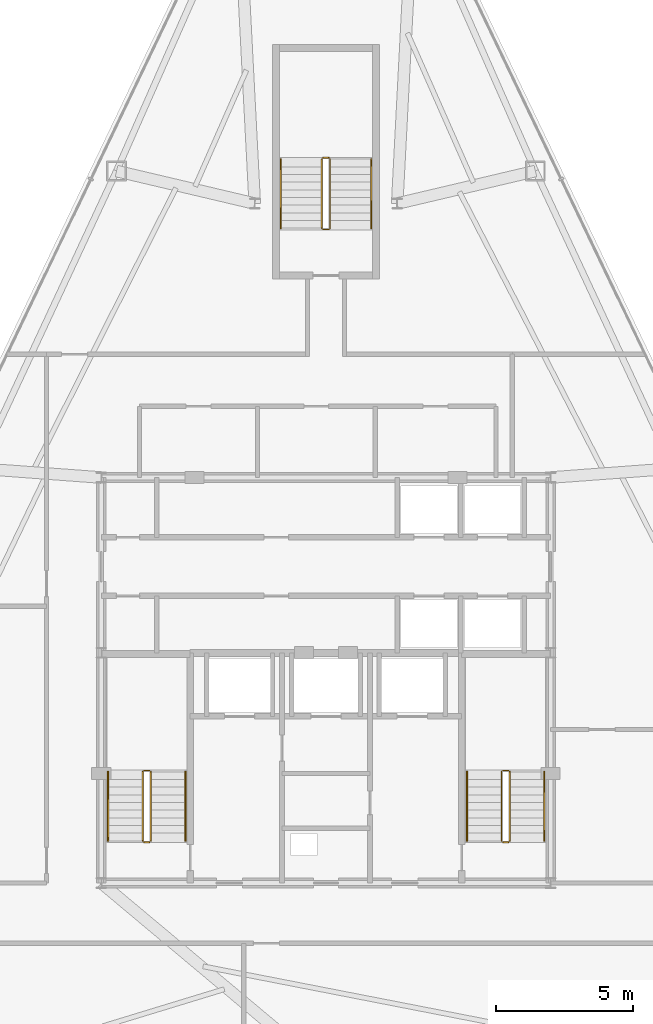
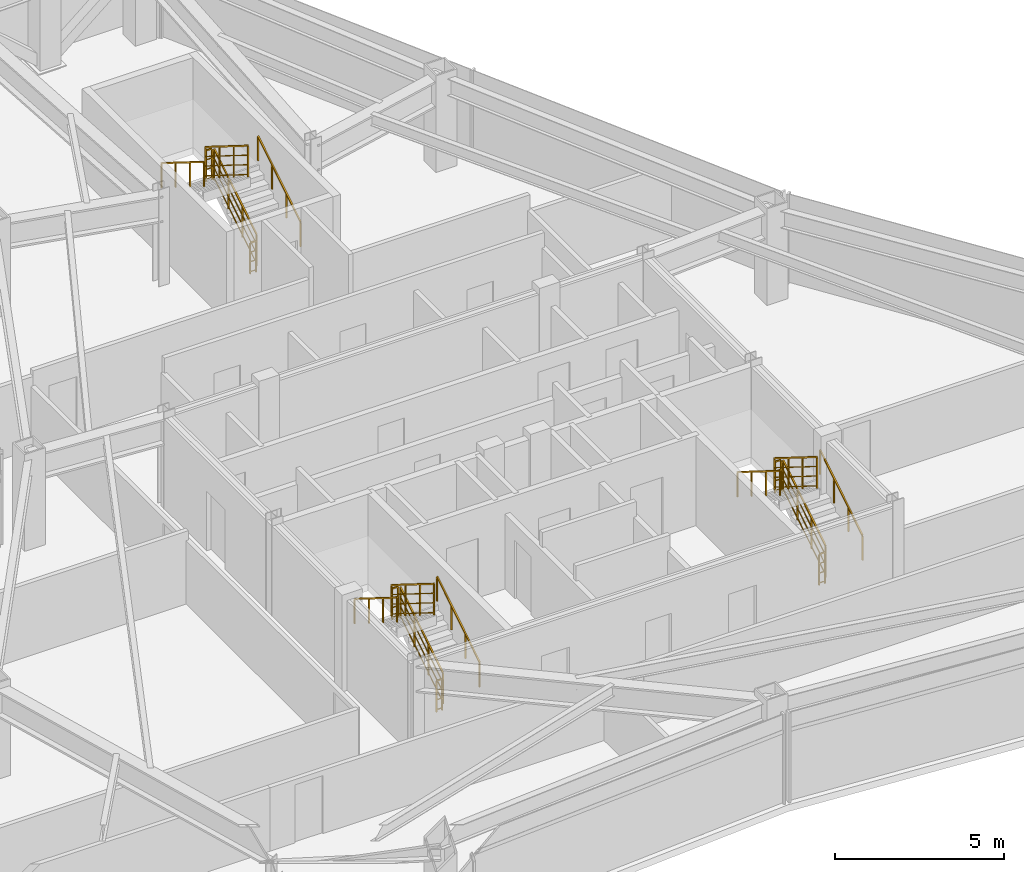
# One storey, part 11 of 11: 18 railings.
"""IFC4 building model written with IfcOpenShell, lengths in metres."""

from ifc_helpers import new_model, si_unit, direction, frame, origin, origin_2d, place, context, subcontext, project, spatial, rectangle, extrude, material, type_object, element, save


model = new_model("IFC4")

# Units and contexts
model_context = context("Model", 3, precision=1e-05, world=origin(), true_north=direction((0.0, 1.0)))
body_context = subcontext(model_context, "Body", "Model", "MODEL_VIEW")
ifc_project = project(units=[si_unit("LENGTHUNIT", "METRE"), si_unit("AREAUNIT", "SQUARE_METRE"), si_unit("VOLUMEUNIT", "CUBIC_METRE"), si_unit("PLANEANGLEUNIT", "RADIAN"), si_unit("MASSUNIT", "GRAM", prefix="KILO")], contexts=[model_context])

# Site, building, storey
site_placement = place(None, origin())
site = spatial("IfcSite", under=ifc_project, at=site_placement, CompositionType="ELEMENT")
building_placement = place(site_placement, origin())
building = spatial("IfcBuilding", under=site, at=building_placement, Name="Varakhsha Concourse Tower", CompositionType="ELEMENT")
storey_placement = place(building_placement, frame((0.0, 0.0, 215.39990234375)))
storey = spatial("IfcBuildingStorey", under=building, at=storey_placement, Name="L61", CompositionType="ELEMENT", Elevation=215.39990234375)

# Railings
ifc_material = material(Name="Brushed Austenitic Stainless Steel AISI 316", Category="steel")
railing_type_1 = type_object("IfcRailingType", Name="RL-STAIR-GUARD-1100", PredefinedType="GUARDRAIL", material=ifc_material)
railing_1_placement = place(storey_placement, frame((33.610107421875, 17.93994140625, 0.175048828125)))
element("IfcRailing", 1, at=railing_1_placement, inside=storey, type_object=railing_type_1, Name="L61 ST1 stair guard 1", PredefinedType="GUARDRAIL", context=body_context, shape_type="SweptSolid", body=[
    extrude(rectangle(XDim=0.048095703125, YDim=0.048095703125, at=origin_2d()), frame((0.0, 0.0, 1.1259765625), z_axis=(0.0, 0.848007534815, 0.529984170421), x_axis=(-1.0, 0.0, 0.0)), (0.0, 0.0, 1.0), 2.9716796875),
    extrude(rectangle(XDim=0.028076171875, YDim=0.028076171875, at=origin_2d()), frame((0.0, 0.0, 0.080078125), z_axis=(0.0, 0.848007534815, 0.529984170421), x_axis=(-1.0, 0.0, 0.0)), (0.0, 0.0, 1.0), 2.9716796875),
    extrude(rectangle(XDim=0.028076171875, YDim=0.028076171875, at=origin_2d()), frame((0.0, 0.0, 0.43701171875), z_axis=(0.0, 0.848007534815, 0.529984170421), x_axis=(-1.0, 0.0, 0.0)), (0.0, 0.0, 1.0), 2.9716796875),
    extrude(rectangle(XDim=0.028076171875, YDim=0.028076171875, at=origin_2d()), frame((0.0, 0.0, 0.781982421875), z_axis=(0.0, 0.848007534815, 0.529984170421), x_axis=(-1.0, 0.0, 0.0)), (0.0, 0.0, 1.0), 2.9716796875),
    extrude(rectangle(XDim=0.0419921875, YDim=0.0419921875, at=origin_2d()), origin(), (0.0, 0.0, 1.0), 1.101806640625),
    extrude(rectangle(XDim=0.0419921875, YDim=0.0419921875, at=origin_2d()), frame((0.0, 0.840087890625, 0.52490234375)), (0.0, 0.0, 1.0), 1.101806640625),
    extrude(rectangle(XDim=0.0419921875, YDim=0.0419921875, at=origin_2d()), frame((0.0, 1.679931640625, 1.050048828125)), (0.0, 0.0, 1.0), 1.101806640625),
    extrude(rectangle(XDim=0.0419921875, YDim=0.0419921875, at=origin_2d()), frame((0.0, 2.52001953125, 1.574951171875)), (0.0, 0.0, 1.0), 1.101806640625),
])
railing_2_placement = place(storey_placement, frame((33.56005859375, 20.510009765625, 1.75)))
element("IfcRailing", 2, at=railing_2_placement, inside=storey, type_object=railing_type_1, Name="L61 ST1 stair guard 2", PredefinedType="GUARDRAIL", context=body_context, shape_type="SweptSolid", body=[
    extrude(rectangle(XDim=0.048095703125, YDim=0.048095703125, at=origin_2d()), frame((0.0, 0.0, 1.1259765625), z_axis=(-1.0, 0.0, 0.0), x_axis=(0.0, -1.0, 0.0)), (0.0, 0.0, 1.0), 0.199951171875),
    extrude(rectangle(XDim=0.028076171875, YDim=0.028076171875, at=origin_2d()), frame((0.0, 0.0, 0.080078125), z_axis=(-1.0, 0.0, 0.0), x_axis=(0.0, -1.0, 0.0)), (0.0, 0.0, 1.0), 0.199951171875),
    extrude(rectangle(XDim=0.028076171875, YDim=0.028076171875, at=origin_2d()), frame((0.0, 0.0, 0.43701171875), z_axis=(-1.0, 0.0, 0.0), x_axis=(0.0, -1.0, 0.0)), (0.0, 0.0, 1.0), 0.199951171875),
    extrude(rectangle(XDim=0.028076171875, YDim=0.028076171875, at=origin_2d()), frame((0.0, 0.0, 0.781982421875), z_axis=(-1.0, 0.0, 0.0), x_axis=(0.0, -1.0, 0.0)), (0.0, 0.0, 1.0), 0.199951171875),
    extrude(rectangle(XDim=0.0419921875, YDim=0.0419921875, at=origin_2d()), origin(), (0.0, 0.0, 1.0), 1.101806640625),
    extrude(rectangle(XDim=0.0419921875, YDim=0.0419921875, at=origin_2d()), frame((-0.199951171875, 0.0, 0.0)), (0.0, 0.0, 1.0), 1.101806640625),
])
railing_3_placement = place(storey_placement, frame((33.31005859375, 20.4599609375, 1.925048828125)))
element("IfcRailing", 3, at=railing_3_placement, inside=storey, type_object=railing_type_1, Name="L61 ST1 stair guard 3", PredefinedType="GUARDRAIL", context=body_context, shape_type="SweptSolid", body=[
    extrude(rectangle(XDim=0.048095703125, YDim=0.048095703125, at=origin_2d()), frame((0.0, 0.0, 1.1259765625), z_axis=(0.0, -0.848007534815, 0.529984170421), x_axis=(1.0, 0.0, 0.0)), (0.0, 0.0, 1.0), 2.9716796875),
    extrude(rectangle(XDim=0.028076171875, YDim=0.028076171875, at=origin_2d()), frame((0.0, 0.0, 0.080078125), z_axis=(0.0, -0.848007534815, 0.529984170421), x_axis=(1.0, 0.0, 0.0)), (0.0, 0.0, 1.0), 2.9716796875),
    extrude(rectangle(XDim=0.028076171875, YDim=0.028076171875, at=origin_2d()), frame((0.0, 0.0, 0.43701171875), z_axis=(0.0, -0.848007534815, 0.529984170421), x_axis=(1.0, 0.0, 0.0)), (0.0, 0.0, 1.0), 2.9716796875),
    extrude(rectangle(XDim=0.028076171875, YDim=0.028076171875, at=origin_2d()), frame((0.0, 0.0, 0.781982421875), z_axis=(0.0, -0.848007534815, 0.529984170421), x_axis=(1.0, 0.0, 0.0)), (0.0, 0.0, 1.0), 2.9716796875),
    extrude(rectangle(XDim=0.0419921875, YDim=0.0419921875, at=origin_2d()), origin(), (0.0, 0.0, 1.0), 1.101806640625),
    extrude(rectangle(XDim=0.0419921875, YDim=0.0419921875, at=origin_2d()), frame((0.0, -0.840087890625, 0.52490234375)), (0.0, 0.0, 1.0), 1.101806640625),
    extrude(rectangle(XDim=0.0419921875, YDim=0.0419921875, at=origin_2d()), frame((0.0, -1.679931640625, 1.050048828125)), (0.0, 0.0, 1.0), 1.101806640625),
    extrude(rectangle(XDim=0.0419921875, YDim=0.0419921875, at=origin_2d()), frame((0.0, -2.52001953125, 1.574951171875)), (0.0, 0.0, 1.0), 1.101806640625),
])
railing_4_placement = place(storey_placement, frame((33.56005859375, 17.889892578125, 0.0)))
element("IfcRailing", 4, at=railing_4_placement, inside=storey, type_object=railing_type_1, Name="L61 ST1 stair guard 4", PredefinedType="GUARDRAIL", context=body_context, shape_type="SweptSolid", body=[
    extrude(rectangle(XDim=0.048095703125, YDim=0.048095703125, at=origin_2d()), frame((0.0, 0.0, 1.1259765625), z_axis=(-1.0, 0.0, 0.0), x_axis=(0.0, -1.0, 0.0)), (0.0, 0.0, 1.0), 0.199951171875),
    extrude(rectangle(XDim=0.028076171875, YDim=0.028076171875, at=origin_2d()), frame((0.0, 0.0, 0.080078125), z_axis=(-1.0, 0.0, 0.0), x_axis=(0.0, -1.0, 0.0)), (0.0, 0.0, 1.0), 0.199951171875),
    extrude(rectangle(XDim=0.028076171875, YDim=0.028076171875, at=origin_2d()), frame((0.0, 0.0, 0.43701171875), z_axis=(-1.0, 0.0, 0.0), x_axis=(0.0, -1.0, 0.0)), (0.0, 0.0, 1.0), 0.199951171875),
    extrude(rectangle(XDim=0.028076171875, YDim=0.028076171875, at=origin_2d()), frame((0.0, 0.0, 0.781982421875), z_axis=(-1.0, 0.0, 0.0), x_axis=(0.0, -1.0, 0.0)), (0.0, 0.0, 1.0), 0.199951171875),
    extrude(rectangle(XDim=0.0419921875, YDim=0.0419921875, at=origin_2d()), origin(), (0.0, 0.0, 1.0), 1.101806640625),
    extrude(rectangle(XDim=0.0419921875, YDim=0.0419921875, at=origin_2d()), frame((-0.199951171875, 0.0, 0.0)), (0.0, 0.0, 1.0), 1.101806640625),
])
railing_5_placement = place(storey_placement, frame((46.7099609375, 17.93994140625, 0.175048828125)))
element("IfcRailing", 5, at=railing_5_placement, inside=storey, type_object=railing_type_1, Name="L61 ST2 stair guard 1", PredefinedType="GUARDRAIL", context=body_context, shape_type="SweptSolid", body=[
    extrude(rectangle(XDim=0.048095703125, YDim=0.048095703125, at=origin_2d()), frame((0.0, 0.0, 1.1259765625), z_axis=(0.0, 0.848007534815, 0.529984170421), x_axis=(-1.0, 0.0, 0.0)), (0.0, 0.0, 1.0), 2.9716796875),
    extrude(rectangle(XDim=0.028076171875, YDim=0.028076171875, at=origin_2d()), frame((0.0, 0.0, 0.080078125), z_axis=(0.0, 0.848007534815, 0.529984170421), x_axis=(-1.0, 0.0, 0.0)), (0.0, 0.0, 1.0), 2.9716796875),
    extrude(rectangle(XDim=0.028076171875, YDim=0.028076171875, at=origin_2d()), frame((0.0, 0.0, 0.43701171875), z_axis=(0.0, 0.848007534815, 0.529984170421), x_axis=(-1.0, 0.0, 0.0)), (0.0, 0.0, 1.0), 2.9716796875),
    extrude(rectangle(XDim=0.028076171875, YDim=0.028076171875, at=origin_2d()), frame((0.0, 0.0, 0.781982421875), z_axis=(0.0, 0.848007534815, 0.529984170421), x_axis=(-1.0, 0.0, 0.0)), (0.0, 0.0, 1.0), 2.9716796875),
    extrude(rectangle(XDim=0.0419921875, YDim=0.0419921875, at=origin_2d()), origin(), (0.0, 0.0, 1.0), 1.101806640625),
    extrude(rectangle(XDim=0.0419921875, YDim=0.0419921875, at=origin_2d()), frame((0.0, 0.840087890625, 0.52490234375)), (0.0, 0.0, 1.0), 1.101806640625),
    extrude(rectangle(XDim=0.0419921875, YDim=0.0419921875, at=origin_2d()), frame((0.0, 1.679931640625, 1.050048828125)), (0.0, 0.0, 1.0), 1.101806640625),
    extrude(rectangle(XDim=0.0419921875, YDim=0.0419921875, at=origin_2d()), frame((0.0, 2.52001953125, 1.574951171875)), (0.0, 0.0, 1.0), 1.101806640625),
])
railing_6_placement = place(storey_placement, frame((46.659912109375, 20.510009765625, 1.75)))
element("IfcRailing", 6, at=railing_6_placement, inside=storey, type_object=railing_type_1, Name="L61 ST2 stair guard 2", PredefinedType="GUARDRAIL", context=body_context, shape_type="SweptSolid", body=[
    extrude(rectangle(XDim=0.048095703125, YDim=0.048095703125, at=origin_2d()), frame((0.0, 0.0, 1.1259765625), z_axis=(-1.0, 0.0, 0.0), x_axis=(0.0, -1.0, 0.0)), (0.0, 0.0, 1.0), 0.199951171875),
    extrude(rectangle(XDim=0.028076171875, YDim=0.028076171875, at=origin_2d()), frame((0.0, 0.0, 0.080078125), z_axis=(-1.0, 0.0, 0.0), x_axis=(0.0, -1.0, 0.0)), (0.0, 0.0, 1.0), 0.199951171875),
    extrude(rectangle(XDim=0.028076171875, YDim=0.028076171875, at=origin_2d()), frame((0.0, 0.0, 0.43701171875), z_axis=(-1.0, 0.0, 0.0), x_axis=(0.0, -1.0, 0.0)), (0.0, 0.0, 1.0), 0.199951171875),
    extrude(rectangle(XDim=0.028076171875, YDim=0.028076171875, at=origin_2d()), frame((0.0, 0.0, 0.781982421875), z_axis=(-1.0, 0.0, 0.0), x_axis=(0.0, -1.0, 0.0)), (0.0, 0.0, 1.0), 0.199951171875),
    extrude(rectangle(XDim=0.0419921875, YDim=0.0419921875, at=origin_2d()), origin(), (0.0, 0.0, 1.0), 1.101806640625),
    extrude(rectangle(XDim=0.0419921875, YDim=0.0419921875, at=origin_2d()), frame((-0.199951171875, 0.0, 0.0)), (0.0, 0.0, 1.0), 1.101806640625),
])
railing_7_placement = place(storey_placement, frame((46.409912109375, 20.4599609375, 1.925048828125)))
element("IfcRailing", 7, at=railing_7_placement, inside=storey, type_object=railing_type_1, Name="L61 ST2 stair guard 3", PredefinedType="GUARDRAIL", context=body_context, shape_type="SweptSolid", body=[
    extrude(rectangle(XDim=0.048095703125, YDim=0.048095703125, at=origin_2d()), frame((0.0, 0.0, 1.1259765625), z_axis=(0.0, -0.848007534815, 0.529984170421), x_axis=(1.0, 0.0, 0.0)), (0.0, 0.0, 1.0), 2.9716796875),
    extrude(rectangle(XDim=0.028076171875, YDim=0.028076171875, at=origin_2d()), frame((0.0, 0.0, 0.080078125), z_axis=(0.0, -0.848007534815, 0.529984170421), x_axis=(1.0, 0.0, 0.0)), (0.0, 0.0, 1.0), 2.9716796875),
    extrude(rectangle(XDim=0.028076171875, YDim=0.028076171875, at=origin_2d()), frame((0.0, 0.0, 0.43701171875), z_axis=(0.0, -0.848007534815, 0.529984170421), x_axis=(1.0, 0.0, 0.0)), (0.0, 0.0, 1.0), 2.9716796875),
    extrude(rectangle(XDim=0.028076171875, YDim=0.028076171875, at=origin_2d()), frame((0.0, 0.0, 0.781982421875), z_axis=(0.0, -0.848007534815, 0.529984170421), x_axis=(1.0, 0.0, 0.0)), (0.0, 0.0, 1.0), 2.9716796875),
    extrude(rectangle(XDim=0.0419921875, YDim=0.0419921875, at=origin_2d()), origin(), (0.0, 0.0, 1.0), 1.101806640625),
    extrude(rectangle(XDim=0.0419921875, YDim=0.0419921875, at=origin_2d()), frame((0.0, -0.840087890625, 0.52490234375)), (0.0, 0.0, 1.0), 1.101806640625),
    extrude(rectangle(XDim=0.0419921875, YDim=0.0419921875, at=origin_2d()), frame((0.0, -1.679931640625, 1.050048828125)), (0.0, 0.0, 1.0), 1.101806640625),
    extrude(rectangle(XDim=0.0419921875, YDim=0.0419921875, at=origin_2d()), frame((0.0, -2.52001953125, 1.574951171875)), (0.0, 0.0, 1.0), 1.101806640625),
])
railing_8_placement = place(storey_placement, frame((46.659912109375, 17.889892578125, 0.0)))
element("IfcRailing", 8, at=railing_8_placement, inside=storey, type_object=railing_type_1, Name="L61 ST2 stair guard 4", PredefinedType="GUARDRAIL", context=body_context, shape_type="SweptSolid", body=[
    extrude(rectangle(XDim=0.048095703125, YDim=0.048095703125, at=origin_2d()), frame((0.0, 0.0, 1.1259765625), z_axis=(-1.0, 0.0, 0.0), x_axis=(0.0, -1.0, 0.0)), (0.0, 0.0, 1.0), 0.199951171875),
    extrude(rectangle(XDim=0.028076171875, YDim=0.028076171875, at=origin_2d()), frame((0.0, 0.0, 0.080078125), z_axis=(-1.0, 0.0, 0.0), x_axis=(0.0, -1.0, 0.0)), (0.0, 0.0, 1.0), 0.199951171875),
    extrude(rectangle(XDim=0.028076171875, YDim=0.028076171875, at=origin_2d()), frame((0.0, 0.0, 0.43701171875), z_axis=(-1.0, 0.0, 0.0), x_axis=(0.0, -1.0, 0.0)), (0.0, 0.0, 1.0), 0.199951171875),
    extrude(rectangle(XDim=0.028076171875, YDim=0.028076171875, at=origin_2d()), frame((0.0, 0.0, 0.781982421875), z_axis=(-1.0, 0.0, 0.0), x_axis=(0.0, -1.0, 0.0)), (0.0, 0.0, 1.0), 0.199951171875),
    extrude(rectangle(XDim=0.0419921875, YDim=0.0419921875, at=origin_2d()), origin(), (0.0, 0.0, 1.0), 1.101806640625),
    extrude(rectangle(XDim=0.0419921875, YDim=0.0419921875, at=origin_2d()), frame((-0.199951171875, 0.0, 0.0)), (0.0, 0.0, 1.0), 1.101806640625),
])
railing_9_placement = place(storey_placement, frame((40.14990234375, 40.300048828125, 0.175048828125)))
element("IfcRailing", 9, at=railing_9_placement, inside=storey, type_object=railing_type_1, Name="L61 ST5 stair guard 1", PredefinedType="GUARDRAIL", context=body_context, shape_type="SweptSolid", body=[
    extrude(rectangle(XDim=0.048095703125, YDim=0.048095703125, at=origin_2d()), frame((0.0, 0.0, 1.1259765625), z_axis=(0.0, 0.848007534815, 0.529984170421), x_axis=(-1.0, 0.0, 0.0)), (0.0, 0.0, 1.0), 2.9716796875),
    extrude(rectangle(XDim=0.028076171875, YDim=0.028076171875, at=origin_2d()), frame((0.0, 0.0, 0.080078125), z_axis=(0.0, 0.848007534815, 0.529984170421), x_axis=(-1.0, 0.0, 0.0)), (0.0, 0.0, 1.0), 2.9716796875),
    extrude(rectangle(XDim=0.028076171875, YDim=0.028076171875, at=origin_2d()), frame((0.0, 0.0, 0.43701171875), z_axis=(0.0, 0.848007534815, 0.529984170421), x_axis=(-1.0, 0.0, 0.0)), (0.0, 0.0, 1.0), 2.9716796875),
    extrude(rectangle(XDim=0.028076171875, YDim=0.028076171875, at=origin_2d()), frame((0.0, 0.0, 0.781982421875), z_axis=(0.0, 0.848007534815, 0.529984170421), x_axis=(-1.0, 0.0, 0.0)), (0.0, 0.0, 1.0), 2.9716796875),
    extrude(rectangle(XDim=0.0419921875, YDim=0.0419921875, at=origin_2d()), origin(), (0.0, 0.0, 1.0), 1.101806640625),
    extrude(rectangle(XDim=0.0419921875, YDim=0.0419921875, at=origin_2d()), frame((0.0, 0.840087890625, 0.52490234375)), (0.0, 0.0, 1.0), 1.101806640625),
    extrude(rectangle(XDim=0.0419921875, YDim=0.0419921875, at=origin_2d()), frame((0.0, 1.679931640625, 1.050048828125)), (0.0, 0.0, 1.0), 1.101806640625),
    extrude(rectangle(XDim=0.0419921875, YDim=0.0419921875, at=origin_2d()), frame((0.0, 2.52001953125, 1.574951171875)), (0.0, 0.0, 1.0), 1.101806640625),
])
railing_10_placement = place(storey_placement, frame((40.10009765625, 42.8701171875, 1.75)))
element("IfcRailing", 10, at=railing_10_placement, inside=storey, type_object=railing_type_1, Name="L61 ST5 stair guard 2", PredefinedType="GUARDRAIL", context=body_context, shape_type="SweptSolid", body=[
    extrude(rectangle(XDim=0.048095703125, YDim=0.048095703125, at=origin_2d()), frame((0.0, 0.0, 1.1259765625), z_axis=(-1.0, 0.0, 0.0), x_axis=(0.0, -1.0, 0.0)), (0.0, 0.0, 1.0), 0.2001953125),
    extrude(rectangle(XDim=0.028076171875, YDim=0.028076171875, at=origin_2d()), frame((0.0, 0.0, 0.080078125), z_axis=(-1.0, 0.0, 0.0), x_axis=(0.0, -1.0, 0.0)), (0.0, 0.0, 1.0), 0.2001953125),
    extrude(rectangle(XDim=0.028076171875, YDim=0.028076171875, at=origin_2d()), frame((0.0, 0.0, 0.43701171875), z_axis=(-1.0, 0.0, 0.0), x_axis=(0.0, -1.0, 0.0)), (0.0, 0.0, 1.0), 0.2001953125),
    extrude(rectangle(XDim=0.028076171875, YDim=0.028076171875, at=origin_2d()), frame((0.0, 0.0, 0.781982421875), z_axis=(-1.0, 0.0, 0.0), x_axis=(0.0, -1.0, 0.0)), (0.0, 0.0, 1.0), 0.2001953125),
    extrude(rectangle(XDim=0.0419921875, YDim=0.0419921875, at=origin_2d()), origin(), (0.0, 0.0, 1.0), 1.101806640625),
    extrude(rectangle(XDim=0.0419921875, YDim=0.0419921875, at=origin_2d()), frame((-0.2001953125, 0.0, 0.0)), (0.0, 0.0, 1.0), 1.101806640625),
])
railing_11_placement = place(storey_placement, frame((39.85009765625, 42.820068359375, 1.925048828125)))
element("IfcRailing", 11, at=railing_11_placement, inside=storey, type_object=railing_type_1, Name="L61 ST5 stair guard 3", PredefinedType="GUARDRAIL", context=body_context, shape_type="SweptSolid", body=[
    extrude(rectangle(XDim=0.048095703125, YDim=0.048095703125, at=origin_2d()), frame((0.0, 0.0, 1.1259765625), z_axis=(0.0, -0.848007534815, 0.529984170421), x_axis=(1.0, 0.0, 0.0)), (0.0, 0.0, 1.0), 2.9716796875),
    extrude(rectangle(XDim=0.028076171875, YDim=0.028076171875, at=origin_2d()), frame((0.0, 0.0, 0.080078125), z_axis=(0.0, -0.848007534815, 0.529984170421), x_axis=(1.0, 0.0, 0.0)), (0.0, 0.0, 1.0), 2.9716796875),
    extrude(rectangle(XDim=0.028076171875, YDim=0.028076171875, at=origin_2d()), frame((0.0, 0.0, 0.43701171875), z_axis=(0.0, -0.848007534815, 0.529984170421), x_axis=(1.0, 0.0, 0.0)), (0.0, 0.0, 1.0), 2.9716796875),
    extrude(rectangle(XDim=0.028076171875, YDim=0.028076171875, at=origin_2d()), frame((0.0, 0.0, 0.781982421875), z_axis=(0.0, -0.848007534815, 0.529984170421), x_axis=(1.0, 0.0, 0.0)), (0.0, 0.0, 1.0), 2.9716796875),
    extrude(rectangle(XDim=0.0419921875, YDim=0.0419921875, at=origin_2d()), origin(), (0.0, 0.0, 1.0), 1.101806640625),
    extrude(rectangle(XDim=0.0419921875, YDim=0.0419921875, at=origin_2d()), frame((0.0, -0.840087890625, 0.52490234375)), (0.0, 0.0, 1.0), 1.101806640625),
    extrude(rectangle(XDim=0.0419921875, YDim=0.0419921875, at=origin_2d()), frame((0.0, -1.679931640625, 1.050048828125)), (0.0, 0.0, 1.0), 1.101806640625),
    extrude(rectangle(XDim=0.0419921875, YDim=0.0419921875, at=origin_2d()), frame((0.0, -2.52001953125, 1.574951171875)), (0.0, 0.0, 1.0), 1.101806640625),
])
railing_12_placement = place(storey_placement, frame((40.10009765625, 40.25, 0.0)))
element("IfcRailing", 12, at=railing_12_placement, inside=storey, type_object=railing_type_1, Name="L61 ST5 stair guard 4", PredefinedType="GUARDRAIL", context=body_context, shape_type="SweptSolid", body=[
    extrude(rectangle(XDim=0.048095703125, YDim=0.048095703125, at=origin_2d()), frame((0.0, 0.0, 1.1259765625), z_axis=(-1.0, 0.0, 0.0), x_axis=(0.0, -1.0, 0.0)), (0.0, 0.0, 1.0), 0.2001953125),
    extrude(rectangle(XDim=0.028076171875, YDim=0.028076171875, at=origin_2d()), frame((0.0, 0.0, 0.080078125), z_axis=(-1.0, 0.0, 0.0), x_axis=(0.0, -1.0, 0.0)), (0.0, 0.0, 1.0), 0.2001953125),
    extrude(rectangle(XDim=0.028076171875, YDim=0.028076171875, at=origin_2d()), frame((0.0, 0.0, 0.43701171875), z_axis=(-1.0, 0.0, 0.0), x_axis=(0.0, -1.0, 0.0)), (0.0, 0.0, 1.0), 0.2001953125),
    extrude(rectangle(XDim=0.028076171875, YDim=0.028076171875, at=origin_2d()), frame((0.0, 0.0, 0.781982421875), z_axis=(-1.0, 0.0, 0.0), x_axis=(0.0, -1.0, 0.0)), (0.0, 0.0, 1.0), 0.2001953125),
    extrude(rectangle(XDim=0.0419921875, YDim=0.0419921875, at=origin_2d()), origin(), (0.0, 0.0, 1.0), 1.101806640625),
    extrude(rectangle(XDim=0.0419921875, YDim=0.0419921875, at=origin_2d()), frame((-0.2001953125, 0.0, 0.0)), (0.0, 0.0, 1.0), 1.101806640625),
])
railing_type_2 = type_object("IfcRailingType", Name="RL-STAIR-RAIL-915", PredefinedType="HANDRAIL", material=ifc_material)
railing_13_placement = place(storey_placement, frame((34.8701171875, 17.93994140625, 0.35009765625)))
element("IfcRailing", 13, at=railing_13_placement, inside=storey, type_object=railing_type_2, Name="L61 ST1 stair handrail 1", PredefinedType="HANDRAIL", context=body_context, shape_type="SweptSolid", body=[
    extrude(rectangle(XDim=0.048095703125, YDim=0.048095703125, at=origin_2d()), frame((0.0, 0.0, 0.89111328125), z_axis=(0.0, 0.848007534815, 0.529984170421), x_axis=(-1.0, 0.0, 0.0)), (0.0, 0.0, 1.0), 2.9716796875),
    extrude(rectangle(XDim=0.0419921875, YDim=0.0419921875, at=origin_2d()), origin(), (0.0, 0.0, 1.0), 0.866943359375),
    extrude(rectangle(XDim=0.0419921875, YDim=0.0419921875, at=origin_2d()), frame((0.0, 0.840087890625, 0.52490234375)), (0.0, 0.0, 1.0), 0.866943359375),
    extrude(rectangle(XDim=0.0419921875, YDim=0.0419921875, at=origin_2d()), frame((0.0, 1.679931640625, 1.050048828125)), (0.0, 0.0, 1.0), 0.866943359375),
    extrude(rectangle(XDim=0.0419921875, YDim=0.0419921875, at=origin_2d()), frame((0.0, 2.52001953125, 1.574951171875)), (0.0, 0.0, 1.0), 0.866943359375),
])
railing_14_placement = place(storey_placement, frame((32.050048828125, 20.4599609375, 2.10009765625)))
element("IfcRailing", 14, at=railing_14_placement, inside=storey, type_object=railing_type_2, Name="L61 ST1 stair handrail 2", PredefinedType="HANDRAIL", context=body_context, shape_type="SweptSolid", body=[
    extrude(rectangle(XDim=0.048095703125, YDim=0.048095703125, at=origin_2d()), frame((0.0, 0.0, 0.89111328125), z_axis=(0.0, -0.848007534815, 0.529984170421), x_axis=(1.0, 0.0, 0.0)), (0.0, 0.0, 1.0), 2.9716796875),
    extrude(rectangle(XDim=0.0419921875, YDim=0.0419921875, at=origin_2d()), origin(), (0.0, 0.0, 1.0), 0.866943359375),
    extrude(rectangle(XDim=0.0419921875, YDim=0.0419921875, at=origin_2d()), frame((0.0, -0.840087890625, 0.52490234375)), (0.0, 0.0, 1.0), 0.866943359375),
    extrude(rectangle(XDim=0.0419921875, YDim=0.0419921875, at=origin_2d()), frame((0.0, -1.679931640625, 1.050048828125)), (0.0, 0.0, 1.0), 0.866943359375),
    extrude(rectangle(XDim=0.0419921875, YDim=0.0419921875, at=origin_2d()), frame((0.0, -2.52001953125, 1.574951171875)), (0.0, 0.0, 1.0), 0.866943359375),
])
railing_15_placement = place(storey_placement, frame((47.969970703125, 17.93994140625, 0.35009765625)))
element("IfcRailing", 15, at=railing_15_placement, inside=storey, type_object=railing_type_2, Name="L61 ST2 stair handrail 1", PredefinedType="HANDRAIL", context=body_context, shape_type="SweptSolid", body=[
    extrude(rectangle(XDim=0.048095703125, YDim=0.048095703125, at=origin_2d()), frame((0.0, 0.0, 0.89111328125), z_axis=(0.0, 0.848007534815, 0.529984170421), x_axis=(-1.0, 0.0, 0.0)), (0.0, 0.0, 1.0), 2.9716796875),
    extrude(rectangle(XDim=0.0419921875, YDim=0.0419921875, at=origin_2d()), origin(), (0.0, 0.0, 1.0), 0.866943359375),
    extrude(rectangle(XDim=0.0419921875, YDim=0.0419921875, at=origin_2d()), frame((0.0, 0.840087890625, 0.52490234375)), (0.0, 0.0, 1.0), 0.866943359375),
    extrude(rectangle(XDim=0.0419921875, YDim=0.0419921875, at=origin_2d()), frame((0.0, 1.679931640625, 1.050048828125)), (0.0, 0.0, 1.0), 0.866943359375),
    extrude(rectangle(XDim=0.0419921875, YDim=0.0419921875, at=origin_2d()), frame((0.0, 2.52001953125, 1.574951171875)), (0.0, 0.0, 1.0), 0.866943359375),
])
railing_16_placement = place(storey_placement, frame((45.14990234375, 20.4599609375, 2.10009765625)))
element("IfcRailing", 16, at=railing_16_placement, inside=storey, type_object=railing_type_2, Name="L61 ST2 stair handrail 2", PredefinedType="HANDRAIL", context=body_context, shape_type="SweptSolid", body=[
    extrude(rectangle(XDim=0.048095703125, YDim=0.048095703125, at=origin_2d()), frame((0.0, 0.0, 0.89111328125), z_axis=(0.0, -0.848007534815, 0.529984170421), x_axis=(1.0, 0.0, 0.0)), (0.0, 0.0, 1.0), 2.9716796875),
    extrude(rectangle(XDim=0.0419921875, YDim=0.0419921875, at=origin_2d()), origin(), (0.0, 0.0, 1.0), 0.866943359375),
    extrude(rectangle(XDim=0.0419921875, YDim=0.0419921875, at=origin_2d()), frame((0.0, -0.840087890625, 0.52490234375)), (0.0, 0.0, 1.0), 0.866943359375),
    extrude(rectangle(XDim=0.0419921875, YDim=0.0419921875, at=origin_2d()), frame((0.0, -1.679931640625, 1.050048828125)), (0.0, 0.0, 1.0), 0.866943359375),
    extrude(rectangle(XDim=0.0419921875, YDim=0.0419921875, at=origin_2d()), frame((0.0, -2.52001953125, 1.574951171875)), (0.0, 0.0, 1.0), 0.866943359375),
])
railing_17_placement = place(storey_placement, frame((41.64990234375, 40.300048828125, 0.35009765625)))
element("IfcRailing", 17, at=railing_17_placement, inside=storey, type_object=railing_type_2, Name="L61 ST5 stair handrail 1", PredefinedType="HANDRAIL", context=body_context, shape_type="SweptSolid", body=[
    extrude(rectangle(XDim=0.048095703125, YDim=0.048095703125, at=origin_2d()), frame((0.0, 0.0, 0.89111328125), z_axis=(0.0, 0.848007534815, 0.529984170421), x_axis=(-1.0, 0.0, 0.0)), (0.0, 0.0, 1.0), 2.9716796875),
    extrude(rectangle(XDim=0.0419921875, YDim=0.0419921875, at=origin_2d()), origin(), (0.0, 0.0, 1.0), 0.866943359375),
    extrude(rectangle(XDim=0.0419921875, YDim=0.0419921875, at=origin_2d()), frame((0.0, 0.840087890625, 0.52490234375)), (0.0, 0.0, 1.0), 0.866943359375),
    extrude(rectangle(XDim=0.0419921875, YDim=0.0419921875, at=origin_2d()), frame((0.0, 1.679931640625, 1.050048828125)), (0.0, 0.0, 1.0), 0.866943359375),
    extrude(rectangle(XDim=0.0419921875, YDim=0.0419921875, at=origin_2d()), frame((0.0, 2.52001953125, 1.574951171875)), (0.0, 0.0, 1.0), 0.866943359375),
])
railing_18_placement = place(storey_placement, frame((38.35009765625, 42.820068359375, 2.10009765625)))
element("IfcRailing", 18, at=railing_18_placement, inside=storey, type_object=railing_type_2, Name="L61 ST5 stair handrail 2", PredefinedType="HANDRAIL", context=body_context, shape_type="SweptSolid", body=[
    extrude(rectangle(XDim=0.048095703125, YDim=0.048095703125, at=origin_2d()), frame((0.0, 0.0, 0.89111328125), z_axis=(0.0, -0.848007534815, 0.529984170421), x_axis=(1.0, 0.0, 0.0)), (0.0, 0.0, 1.0), 2.9716796875),
    extrude(rectangle(XDim=0.0419921875, YDim=0.0419921875, at=origin_2d()), origin(), (0.0, 0.0, 1.0), 0.866943359375),
    extrude(rectangle(XDim=0.0419921875, YDim=0.0419921875, at=origin_2d()), frame((0.0, -0.840087890625, 0.52490234375)), (0.0, 0.0, 1.0), 0.866943359375),
    extrude(rectangle(XDim=0.0419921875, YDim=0.0419921875, at=origin_2d()), frame((0.0, -1.679931640625, 1.050048828125)), (0.0, 0.0, 1.0), 0.866943359375),
    extrude(rectangle(XDim=0.0419921875, YDim=0.0419921875, at=origin_2d()), frame((0.0, -2.52001953125, 1.574951171875)), (0.0, 0.0, 1.0), 0.866943359375),
])

save(model, "model.ifc")
